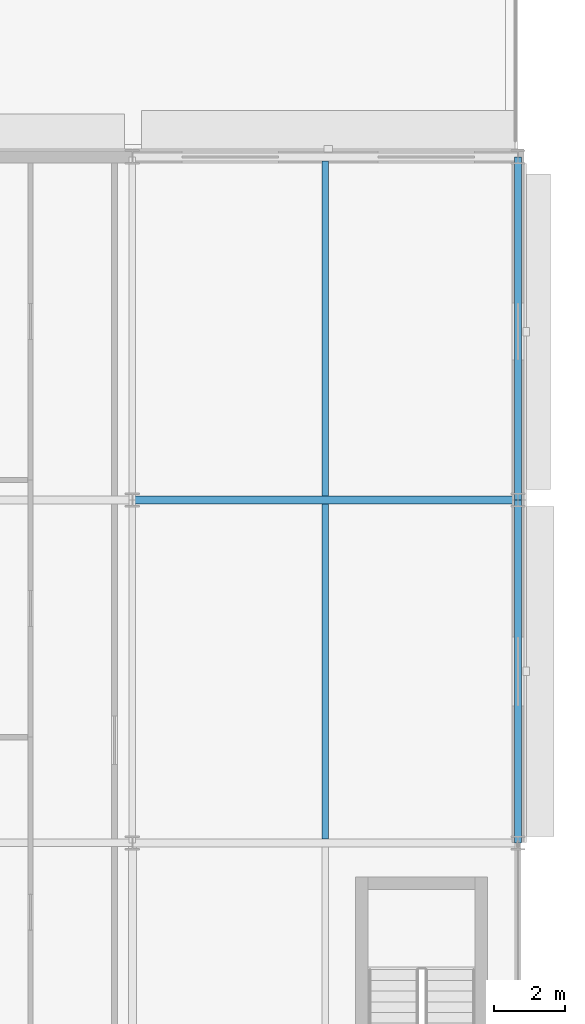
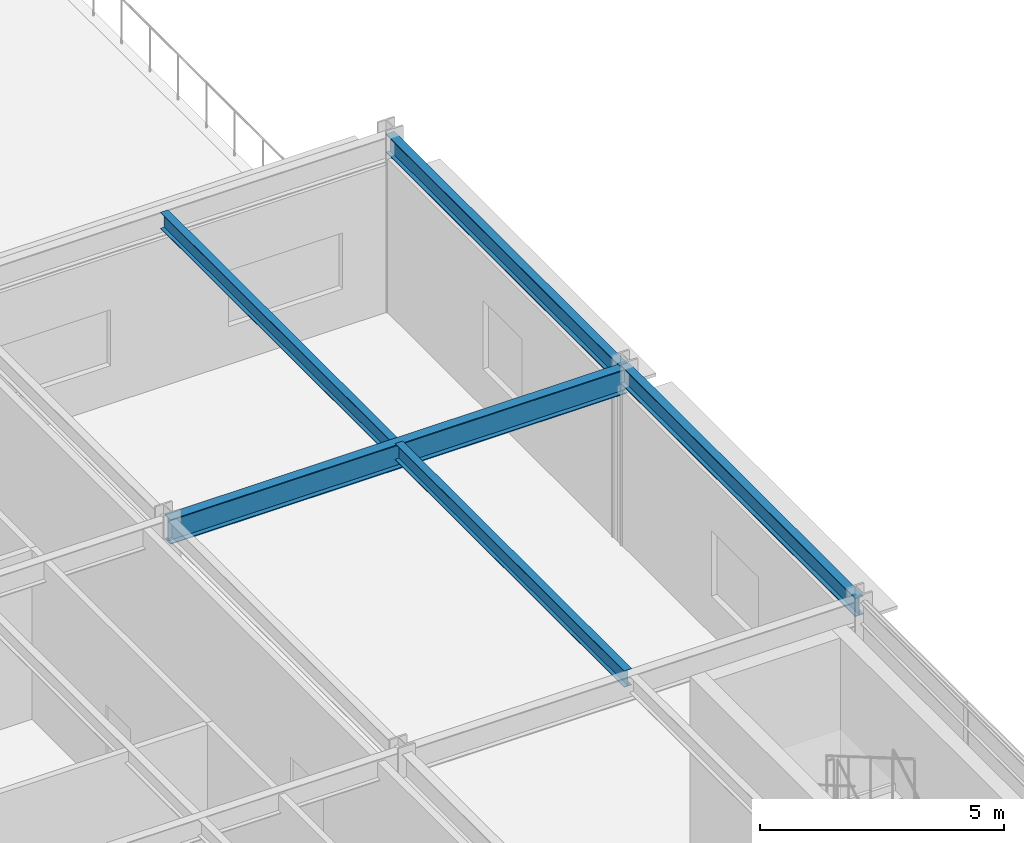
# One storey, part 108 of 157: 5 beams.
"""IFC4 building model written with IfcOpenShell, lengths in metres."""

import ifcopenshell
import ifcopenshell.guid

model = None  # the IFC model being written
_history = None  # IfcOwnerHistory: only IFC2X3 demands one
_inside = {}  # id of a spatial element -> (the spatial element, [elements in it])
_under = {}  # id of a project, library or spatial element -> (it, [spatial elements below it])
_declared = {}  # id of a project -> (the project, [libraries it declares])
_typed = {}  # id of a type object -> (the type object, [elements of that type])
_made_of = {}  # id of a material, layer set ... -> (it, [elements and type objects made of it])


def new_model(schema):
    """Start an empty IFC model of exactly this schema.

    Asked for "IFC4X3", IfcOpenShell would pick the latest addendum, in which some entities
    have other attributes; the version numbers below select the first issue.
    IFC2X3 requires an IfcOwnerHistory on every rooted entity: one is made here for all.
    """
    global model, _history
    if schema == "IFC4X3":
        model = ifcopenshell.file(schema_version=(4, 3, 0, 0))
    else:
        model = ifcopenshell.file(schema=schema)
    _inside.clear()
    _under.clear()
    _declared.clear()
    _typed.clear()
    _made_of.clear()
    _history = None
    if model.schema == "IFC2X3":
        org = make("IfcOrganization", Name="unknown")
        user = make(
            "IfcPersonAndOrganization",
            ThePerson=make("IfcPerson", FamilyName="unknown"),
            TheOrganization=org,
        )
        app = make(
            "IfcApplication",
            ApplicationDeveloper=org,
            Version="unknown",
            ApplicationFullName="unknown",
            ApplicationIdentifier="unknown",
        )
        _history = make(
            "IfcOwnerHistory",
            OwningUser=user,
            OwningApplication=app,
            ChangeAction="ADDED",
            CreationDate=0,
        )
    return model


def make(cls, **values):
    """One entity of the class cls with the attributes given. An attribute that is None is left unset."""
    return model.create_entity(
        cls, **{name: value for name, value in values.items() if value is not None}
    )


def rooted(cls, **values):
    """An entity with a GlobalId (a new one), such as an element, a storey or a relation."""
    return make(cls, GlobalId=ifcopenshell.guid.new(), OwnerHistory=_history, **values)


def si_unit(unit_type, name, prefix=None):
    """IfcSIUnit, for example si_unit("LENGTHUNIT", "METRE", prefix="MILLI")."""
    return make("IfcSIUnit", UnitType=unit_type, Prefix=prefix, Name=name)


def assignment(units):
    """IfcUnitAssignment: the units of a project."""
    return None if units is None else make("IfcUnitAssignment", Units=units)


def point(xyz):
    """IfcCartesianPoint."""
    return None if xyz is None else make("IfcCartesianPoint", Coordinates=xyz)


def direction(xyz):
    """IfcDirection."""
    return None if xyz is None else make("IfcDirection", DirectionRatios=xyz)


def frame(location, z_axis=None, x_axis=None):
    """IfcAxis2Placement3D, a coordinate frame: its origin and axes. An axis left out is left unset."""
    return make(
        "IfcAxis2Placement3D",
        Location=point(location),
        Axis=direction(z_axis),
        RefDirection=direction(x_axis),
    )


def frame_2d(location, x_axis=None):
    """IfcAxis2Placement2D, a coordinate frame in the plane: its origin and x axis."""
    return make(
        "IfcAxis2Placement2D", Location=point(location), RefDirection=direction(x_axis)
    )


def origin():
    """The frame at (0, 0, 0) with its axes left unset."""
    return frame((0.0, 0.0, 0.0))


def origin_2d():
    """The frame at (0, 0) in the plane with its x axis left unset."""
    return frame_2d((0.0, 0.0))


def place(relative_to, where):
    """IfcLocalPlacement: puts the frame where relative to a parent placement (None: the world)."""
    return make(
        "IfcLocalPlacement", PlacementRelTo=relative_to, RelativePlacement=where
    )


def context(
    kind, dimensions, precision=None, world=None, true_north=None, identifier=None
):
    """IfcGeometricRepresentationContext, for example the 3D "Model" context."""
    return make(
        "IfcGeometricRepresentationContext",
        ContextIdentifier=identifier,
        ContextType=kind,
        CoordinateSpaceDimension=dimensions,
        Precision=precision,
        WorldCoordinateSystem=world,
        TrueNorth=true_north,
    )


def subcontext(parent, identifier, kind, view, scale=None):
    """IfcGeometricRepresentationSubContext, for example "Body" below "Model"."""
    return make(
        "IfcGeometricRepresentationSubContext",
        ContextIdentifier=identifier,
        ContextType=kind,
        ParentContext=parent,
        TargetScale=scale,
        TargetView=view,
    )


def project(units=None, contexts=None):
    """IfcProject with its units and contexts."""
    return rooted(
        "IfcProject",
        Name="project",
        RepresentationContexts=contexts,
        UnitsInContext=assignment(units),
    )


def spatial(cls, under=None, at=None, **own):
    """A site, building, storey or space (cls), placed at a placement, below another one or the project."""
    s = rooted(cls, ObjectPlacement=at, **own)
    if under is not None:
        _under.setdefault(under.id(), (under, []))[1].append(s)
    return s


def profile(cls, at=None, kind="AREA", **sizes):
    """A parametric profile (cls). Its sizes go by their IFC names, for example OverallWidth=200.0."""
    return make(cls, ProfileType=kind, Position=at, **sizes)


def i_section(**sizes):
    """IfcIShapeProfileDef."""
    return profile("IfcIShapeProfileDef", **sizes)


def extrude(swept, where, along, depth):
    """IfcExtrudedAreaSolid: the profile swept, set in the frame where, extruded along a direction by depth."""
    return make(
        "IfcExtrudedAreaSolid",
        SweptArea=swept,
        Position=where,
        ExtrudedDirection=direction(along),
        Depth=depth,
    )


def shape(context_of_items, identifier, shape_type, items):
    """IfcShapeRepresentation: the items that make up one representation, for example the "Body"."""
    return make(
        "IfcShapeRepresentation",
        ContextOfItems=context_of_items,
        RepresentationIdentifier=identifier,
        RepresentationType=shape_type,
        Items=items,
    )


def material(Name=None, Category=None):
    """IfcMaterial."""
    return make("IfcMaterial", Name=Name, Category=Category)


def material_profile(
    of_material, cross_section, Name=None, Category=None, Priority=None
):
    """IfcMaterialProfile: a cross section and its material."""
    return make(
        "IfcMaterialProfile",
        Name=Name,
        Material=of_material,
        Profile=cross_section,
        Priority=Priority,
        Category=Category,
    )


def profile_set(profiles, Name=None, composite=None):
    """IfcMaterialProfileSet."""
    return make(
        "IfcMaterialProfileSet",
        Name=Name,
        MaterialProfiles=profiles,
        CompositeProfile=composite,
    )


def made_of(thing, what):
    """Note that an element or type object is made of a material, layer set ...; save() writes the relation."""
    if what is not None:
        _made_of.setdefault(what.id(), (what, []))[1].append(thing)
    return thing


def type_object(cls, material=None, **own):
    """A type object (cls), such as IfcWallType, which elements share."""
    return made_of(rooted(cls, **own), material)


def element(
    cls,
    number,
    at=None,
    inside=None,
    cuts=None,
    type_object=None,
    material=None,
    context=None,
    identifier="Body",
    shape_type=None,
    held_by="IfcProductDefinitionShape",
    body=None,
    shapes=None,
    **own,
):
    """One element of the class cls, such as IfcWall. Its Tag is "e" and its number.

    at: its placement. inside: the storey or other place that contains it. cuts: it is an
    opening in that element (IfcRelVoidsElement). A single representation is given by context,
    identifier, shape_type and body (its items); several are given by shapes. held_by: the class
    of the entity that holds the representations. save() writes the other relations.
    """
    e = rooted(cls, Tag="e%d" % number, ObjectPlacement=at, **own)
    if body is not None:
        shapes = [shape(context, identifier, shape_type, body)]
    if shapes is not None:
        e.Representation = make(held_by, Representations=shapes)
    if inside is not None:
        _inside.setdefault(inside.id(), (inside, []))[1].append(e)
    if cuts is not None:
        rooted(
            "IfcRelVoidsElement", RelatingBuildingElement=cuts, RelatedOpeningElement=e
        )
    if type_object is not None:
        _typed.setdefault(type_object.id(), (type_object, []))[1].append(e)
    return made_of(e, material)


def aggregate(whole, parts):
    """IfcRelAggregates: a whole, such as a stair, and the parts it consists of."""
    return rooted("IfcRelAggregates", RelatingObject=whole, RelatedObjects=parts)


def save(model, path):
    """Write the relations noted so far, then the file.

    IfcRelAggregates (storeys below a building ...), IfcRelContainedInSpatialStructure (elements
    in a storey), IfcRelDefinesByType, IfcRelAssociatesMaterial and IfcRelDeclares: one each for
    every whole, place, type object, material and project.
    """
    for whole, parts in _under.values():
        aggregate(whole, parts)
    for where, things in _inside.values():
        rooted(
            "IfcRelContainedInSpatialStructure",
            RelatedElements=things,
            RelatingStructure=where,
        )
    for kind, things in _typed.values():
        rooted("IfcRelDefinesByType", RelatedObjects=things, RelatingType=kind)
    for what, things in _made_of.values():
        rooted("IfcRelAssociatesMaterial", RelatedObjects=things, RelatingMaterial=what)
    for by, libraries in _declared.values():
        rooted("IfcRelDeclares", RelatingContext=by, RelatedDefinitions=libraries)
    model.write(path)


model = new_model("IFC4")

# Units and contexts
model_context = context("Model", 3, precision=1e-05, world=origin(), true_north=direction((0.0, 1.0)))
body_context = subcontext(model_context, "Body", "Model", "MODEL_VIEW")
ifc_project = project(units=[si_unit("LENGTHUNIT", "METRE"), si_unit("AREAUNIT", "SQUARE_METRE"), si_unit("VOLUMEUNIT", "CUBIC_METRE"), si_unit("PLANEANGLEUNIT", "RADIAN"), si_unit("MASSUNIT", "GRAM", prefix="KILO")], contexts=[model_context])

# Site, building, storey
site_placement = place(None, origin())
site = spatial("IfcSite", under=ifc_project, at=site_placement, CompositionType="ELEMENT")
building_placement = place(site_placement, origin())
building = spatial("IfcBuilding", under=site, at=building_placement, Name="Almandine Court Research Institute", CompositionType="ELEMENT")
storey_placement = place(building_placement, frame((0.0, 0.0, 5.25)))
storey = spatial("IfcBuildingStorey", under=building, at=storey_placement, Name="L01", CompositionType="ELEMENT", Elevation=5.25)

# Beams
ifc_material = material(Name="Steel ASTM A992 Grade 50", Category="steel")
ifc_material_profile_1 = material_profile(ifc_material, i_section(OverallWidth=0.178955078125, OverallDepth=0.409912109375, WebThickness=0.009033203125, FlangeThickness=0.013916015625, at=origin_2d()), Name="W410x67")
ifc_profile_set_1 = profile_set([ifc_material_profile_1], Name="Steel ASTM A992 Grade 50")
beam_type_1 = type_object("IfcBeamType", Name="Beam-B-02", PredefinedType="JOIST", material=ifc_profile_set_1)
for number, where, z_axis, x_axis, name in (
    (1, (168.60009765625, 84.113037109375, 4.1650390625), (0.0, 1.0, 0.0), (-1.0, 0.0, 0.0), "L01 V4 Composite Secondary Beam"),
    (2, (168.60009765625, 93.712890625, 4.117919921875), (0.0, 1.0, 0.0), (-1.0, 0.0, 0.0), "L01 V4 Composite Secondary Beam"),
):
    element("IfcBeam", number, at=place(storey_placement, frame(where, z_axis=z_axis, x_axis=x_axis)), inside=storey, type_object=beam_type_1, Name=name, PredefinedType="JOIST", context=body_context, shape_type="SweptSolid", body=[
        extrude(i_section(OverallWidth=0.178955078125, OverallDepth=0.409912109375, WebThickness=0.009033203125, FlangeThickness=0.013916015625, at=origin_2d()), origin(), (0.0, 0.0, 1.0), 9.3740234375),
    ])
ifc_material_profile_2 = material_profile(ifc_material, i_section(OverallWidth=0.22998046875, OverallDepth=0.616943359375, WebThickness=0.012939453125, FlangeThickness=0.02197265625, at=origin_2d()), Name="W610x140")
ifc_profile_set_2 = profile_set([ifc_material_profile_2], Name="Steel ASTM A992 Grade 50")
beam_type_2 = type_object("IfcBeamType", Name="Beam-G-02", PredefinedType="BEAM", material=ifc_profile_set_2)
beam_1_placement = place(storey_placement, frame((163.199951171875, 93.60009765625, 4.013916015625), z_axis=(1.0, 0.0, 0.0), x_axis=(0.0, 1.0, 0.0)))
element("IfcBeam", 3, at=beam_1_placement, inside=storey, type_object=beam_type_2, Name="L01 V4 Primary X Girder", PredefinedType="BEAM", context=body_context, shape_type="SweptSolid", body=[
    extrude(i_section(OverallWidth=0.22998046875, OverallDepth=0.616943359375, WebThickness=0.012939453125, FlangeThickness=0.02197265625, at=origin_2d()), origin(), (0.0, 0.0, 1.0), 10.800048828125),
])
ifc_material_profile_3 = material_profile(ifc_material, i_section(OverallWidth=0.193115234375, OverallDepth=0.466064453125, WebThickness=0.010986328125, FlangeThickness=0.01904296875, at=origin_2d()), Name="W460x97")
ifc_profile_set_3 = profile_set([ifc_material_profile_3], Name="Steel ASTM A992 Grade 50")
beam_type_3 = type_object("IfcBeamType", Name="Beam-G-06-E", PredefinedType="SPANDREL", material=ifc_profile_set_3)
beam_2_placement = place(storey_placement, frame((174.0, 84.0, 4.136962890625), z_axis=(0.0, 1.0, 0.0), x_axis=(-1.0, 0.0, 0.0)))
element("IfcBeam", 4, at=beam_2_placement, inside=storey, type_object=beam_type_3, Name="L01 V4 Primary Y Girder", PredefinedType="SPANDREL", context=body_context, shape_type="SweptSolid", body=[
    extrude(i_section(OverallWidth=0.193115234375, OverallDepth=0.466064453125, WebThickness=0.010986328125, FlangeThickness=0.01904296875, at=origin_2d()), origin(), (0.0, 0.0, 1.0), 9.60009765625),
])
beam_3_placement = place(storey_placement, frame((174.0, 93.60009765625, 4.090087890625), z_axis=(0.0, 1.0, 0.0), x_axis=(-1.0, 0.0, 0.0)))
element("IfcBeam", 5, at=beam_3_placement, inside=storey, type_object=beam_type_3, Name="L01 V4 Primary Y Girder", PredefinedType="SPANDREL", context=body_context, shape_type="SweptSolid", body=[
    extrude(i_section(OverallWidth=0.193115234375, OverallDepth=0.466064453125, WebThickness=0.010986328125, FlangeThickness=0.01904296875, at=origin_2d()), origin(), (0.0, 0.0, 1.0), 9.599853515625),
])

save(model, "model.ifc")
